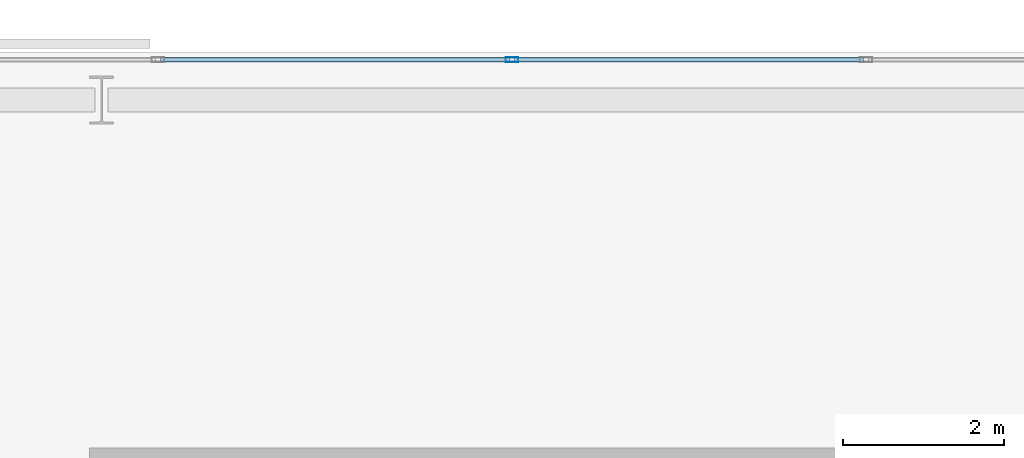
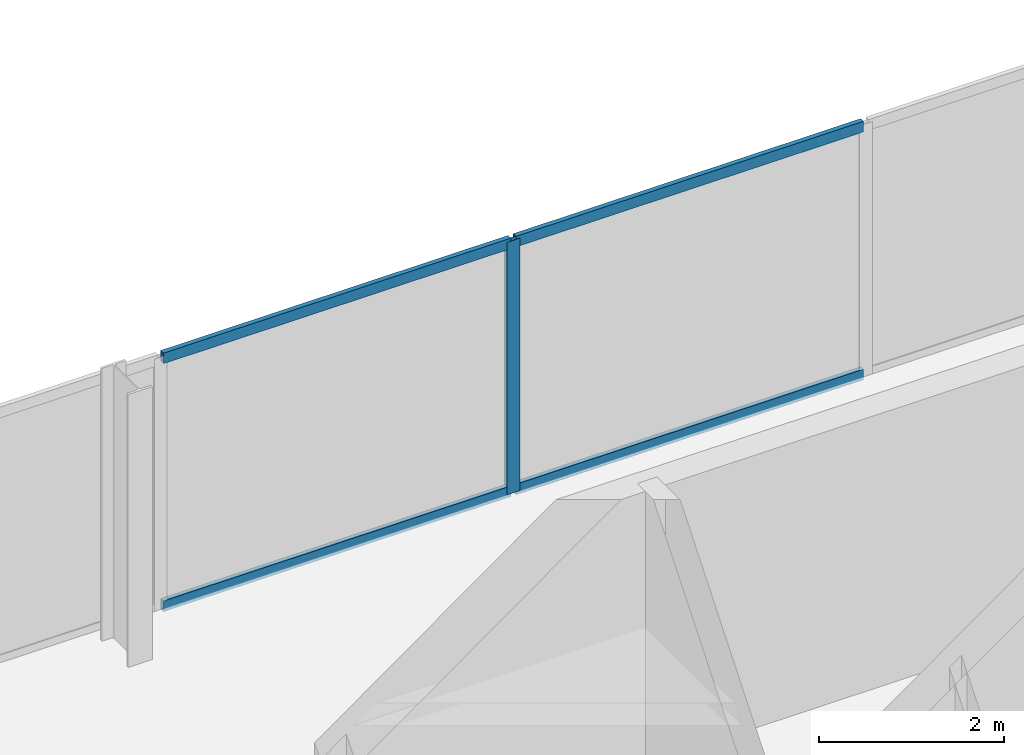
# One storey, part 20 of 32: 5 members, 1 element without a shape of its own.
"""IFC4 building model written with IfcOpenShell, lengths in metres."""

from ifc_helpers import new_model, si_unit, direction, frame, origin, origin_2d, place, context, subcontext, project, spatial, hollow_rectangle, extrude, material, layer, layer_set, material_profile, profile_set, type_object, element, aggregate, save


model = new_model("IFC4")

# Units and contexts
model_context = context("Model", 3, precision=1e-05, world=origin(), true_north=direction((0.0, 1.0)))
body_context = subcontext(model_context, "Body", "Model", "MODEL_VIEW")
ifc_project = project(units=[si_unit("LENGTHUNIT", "METRE"), si_unit("AREAUNIT", "SQUARE_METRE"), si_unit("VOLUMEUNIT", "CUBIC_METRE"), si_unit("PLANEANGLEUNIT", "RADIAN"), si_unit("MASSUNIT", "GRAM", prefix="KILO")], contexts=[model_context])

# Site, building, storey
site_placement = place(None, origin())
site = spatial("IfcSite", under=ifc_project, at=site_placement, CompositionType="ELEMENT")
building_placement = place(site_placement, origin())
building = spatial("IfcBuilding", under=site, at=building_placement, Name="Catumbela Crestline Tower", CompositionType="ELEMENT")
storey_placement = place(building_placement, frame((0.0, 0.0, 133.2)))
storey = spatial("IfcBuildingStorey", under=building, at=storey_placement, Name="L34", CompositionType="ELEMENT", Elevation=133.2)

# Curtain wall, members
ifc_material = material(Name="Aluminium alloy AW-6060-T66", Category="aluminium")
ifc_layer = layer(ifc_material, 0.18, Name="Aluminium alloy AW-6060-T66")
ifc_layer_set = layer_set([ifc_layer], Name="Aluminium alloy AW-6060-T66")
curtain_wall_type = type_object("IfcCurtainWallType", Name="CWU-Z2", PredefinedType="USERDEFINED", material=ifc_layer_set)
curtain_wall_placement = place(storey_placement, origin())
curtain_wall = element("IfcCurtainWall", 1, at=curtain_wall_placement, inside=storey, type_object=curtain_wall_type, Name="L34 Unitised Curtain Wall CW-L34-E7S1", ObjectType="UNITISED", PredefinedType="USERDEFINED")
ifc_material_profile_1 = material_profile(ifc_material, hollow_rectangle(XDim=0.06, YDim=0.16, WallThickness=0.004, at=origin_2d()), Name="ALU 160x60x4")
ifc_profile_set_1 = profile_set([ifc_material_profile_1], Name="Aluminium alloy AW-6060-T66")
member_type_1 = type_object("IfcMemberType", Name="MUL-160X60", PredefinedType="MULLION", material=ifc_profile_set_1)
member_1_placement = place(storey_placement, frame((21.1, 47.9, 0.0), z_axis=(0.0, 0.0, 1.0), x_axis=(0.0, -1.0, 0.0)))
member_1 = element("IfcMember", 2, at=member_1_placement, type_object=member_type_1, Name="CWU-Z2 mullion 7", PredefinedType="MULLION", context=body_context, shape_type="SweptSolid", body=[
    extrude(hollow_rectangle(XDim=0.06, YDim=0.16, WallThickness=0.004, at=origin_2d()), origin(), (0.0, 0.0, 1.0), 3.33),
])
ifc_material_profile_2 = material_profile(ifc_material, hollow_rectangle(XDim=0.06, YDim=0.14, WallThickness=0.004, at=origin_2d()), Name="ALU 140x60x4")
ifc_profile_set_2 = profile_set([ifc_material_profile_2], Name="Aluminium alloy AW-6060-T66")
member_type_2 = type_object("IfcMemberType", Name="TRN-140X60", PredefinedType="USERDEFINED", material=ifc_profile_set_2)
member_2_placement = place(storey_placement, frame((25.4675, 47.9, 0.03), z_axis=(-1.0, 0.0, 0.0), x_axis=(0.0, -1.0, 0.0)))
member_2 = element("IfcMember", 3, at=member_2_placement, type_object=member_type_2, Name="CWU-Z2 transom 6.1", ObjectType="TRANSOM", PredefinedType="USERDEFINED", context=body_context, shape_type="SweptSolid", body=[
    extrude(hollow_rectangle(XDim=0.06, YDim=0.14, WallThickness=0.004, at=origin_2d()), origin(), (0.0, 0.0, 1.0), 4.335),
])
member_3_placement = place(storey_placement, frame((25.4675, 47.9, 3.3), z_axis=(-1.0, 0.0, 0.0), x_axis=(0.0, -1.0, 0.0)))
member_3 = element("IfcMember", 4, at=member_3_placement, type_object=member_type_2, Name="CWU-Z2 transom 6.2", ObjectType="TRANSOM", PredefinedType="USERDEFINED", context=body_context, shape_type="SweptSolid", body=[
    extrude(hollow_rectangle(XDim=0.06, YDim=0.14, WallThickness=0.004, at=origin_2d()), origin(), (0.0, 0.0, 1.0), 4.335),
])
member_4_placement = place(storey_placement, frame((21.0675, 47.9, 0.03), z_axis=(-1.0, 0.0, 0.0), x_axis=(0.0, -1.0, 0.0)))
member_4 = element("IfcMember", 5, at=member_4_placement, type_object=member_type_2, Name="CWU-Z2 transom 7.1", ObjectType="TRANSOM", PredefinedType="USERDEFINED", context=body_context, shape_type="SweptSolid", body=[
    extrude(hollow_rectangle(XDim=0.06, YDim=0.14, WallThickness=0.004, at=origin_2d()), origin(), (0.0, 0.0, 1.0), 4.335),
])
member_5_placement = place(storey_placement, frame((21.0675, 47.9, 3.3), z_axis=(-1.0, 0.0, 0.0), x_axis=(0.0, -1.0, 0.0)))
member_5 = element("IfcMember", 6, at=member_5_placement, type_object=member_type_2, Name="CWU-Z2 transom 7.2", ObjectType="TRANSOM", PredefinedType="USERDEFINED", context=body_context, shape_type="SweptSolid", body=[
    extrude(hollow_rectangle(XDim=0.06, YDim=0.14, WallThickness=0.004, at=origin_2d()), origin(), (0.0, 0.0, 1.0), 4.335),
])
aggregate(curtain_wall, [member_1, member_2, member_3, member_4, member_5])

save(model, "model.ifc")
